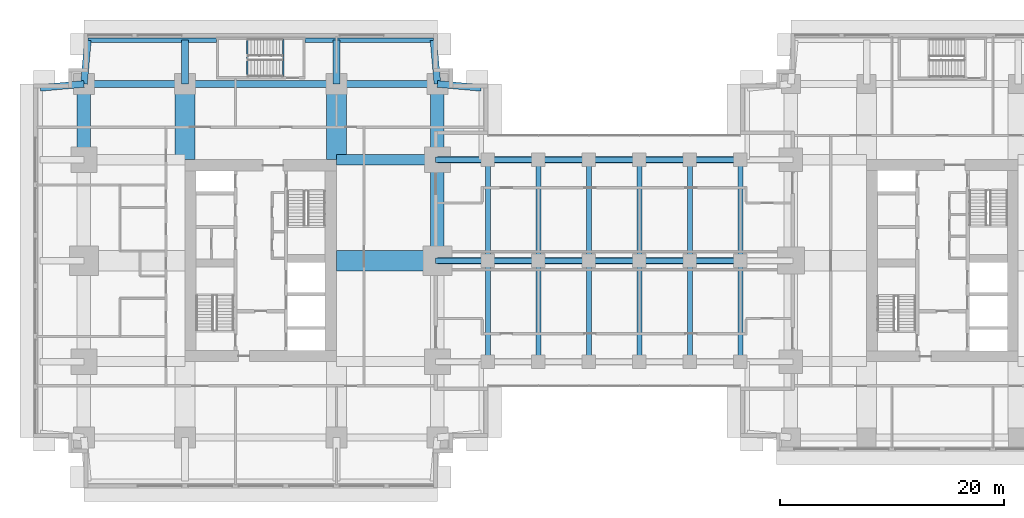
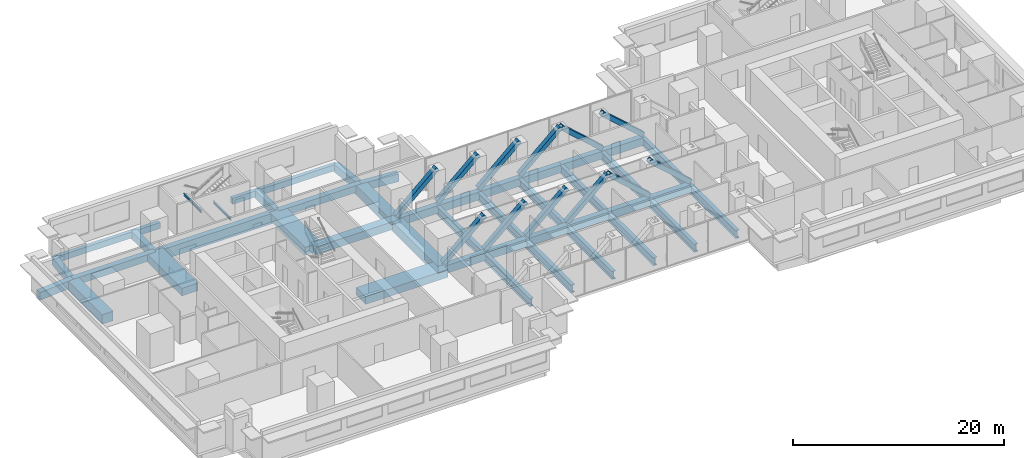
# One storey, part 3 of 16: 44 beams, 12 members.
"""IFC4 building model written with IfcOpenShell, lengths in metres."""

from ifc_helpers import new_model, si_unit, direction, frame, origin, origin_2d, place, context, subcontext, project, spatial, rectangle, hollow_rectangle, i_section, extrude, material, material_profile, profile_set, type_object, element, save


model = new_model("IFC4")

# Units and contexts
model_context = context("Model", 3, precision=1e-05, world=origin(), true_north=direction((0.0, 1.0)))
body_context = subcontext(model_context, "Body", "Model", "MODEL_VIEW")
ifc_project = project(units=[si_unit("LENGTHUNIT", "METRE"), si_unit("AREAUNIT", "SQUARE_METRE"), si_unit("VOLUMEUNIT", "CUBIC_METRE"), si_unit("PLANEANGLEUNIT", "RADIAN"), si_unit("MASSUNIT", "GRAM", prefix="KILO")], contexts=[model_context])

# Site, building, storey
site_placement = place(None, origin())
site = spatial("IfcSite", under=ifc_project, at=site_placement, CompositionType="ELEMENT")
building_placement = place(site_placement, origin())
building = spatial("IfcBuilding", under=site, at=building_placement, Name="Namib Vertical Campus", CompositionType="ELEMENT")
storey_placement = place(building_placement, frame((0.0, 0.0, 121.0)))
storey = spatial("IfcBuildingStorey", under=building, at=storey_placement, Name="L28", CompositionType="ELEMENT", Elevation=121.0)

# Members
ifc_material_1 = material(Name="Steel S355JR", Category="steel")
ifc_material_profile_1 = material_profile(ifc_material_1, hollow_rectangle(XDim=0.5, YDim=0.5, WallThickness=0.031982421875, at=origin_2d()))
ifc_profile_set_1 = profile_set([ifc_material_profile_1], Name="Steel S355JR")
member_type = type_object("IfcMemberType", Name="Bridge end brace WB 500x500x32", PredefinedType="BRACE", material=ifc_profile_set_1)
for number, where, z_axis, x_axis, name in (
    (1, (36.0, 20.25, 0.0), (0.747409318684, 0.0, 0.66436383883), (0.0, 1.0, 0.0), "Bridge brace BX1 L28 T2 bay 1"),
    (2, (40.5, 20.25, 0.0), (0.747409318684, 0.0, 0.66436383883), (0.0, 1.0, 0.0), "Bridge brace BX1 L28 T2 bay 2"),
    (3, (45.0, 20.25, 0.0), (0.747409318684, 0.0, 0.66436383883), (0.0, 1.0, 0.0), "Bridge brace BX1 L28 T2 bay 3"),
    (4, (49.5, 20.25, 0.0), (0.747409318684, 0.0, 0.66436383883), (0.0, 1.0, 0.0), "Bridge brace BX1 L28 T2 bay 4"),
    (5, (58.5, 20.25, 0.0), (-0.747409318684, 0.0, 0.66436383883), (0.0, -1.0, 0.0), "Bridge brace BX1 L28 T2 bay 5"),
    (6, (63.0, 20.25, 0.0), (-0.747409318684, 0.0, 0.66436383883), (0.0, -1.0, 0.0), "Bridge brace BX1 L28 T2 bay 6"),
    (7, (36.0, 29.25, 0.0), (0.747409318684, 0.0, 0.66436383883), (0.0, 1.0, 0.0), "Bridge brace BX1 L28 T3 bay 1"),
    (8, (40.5, 29.25, 0.0), (0.747409318684, 0.0, 0.66436383883), (0.0, 1.0, 0.0), "Bridge brace BX1 L28 T3 bay 2"),
    (9, (45.0, 29.25, 0.0), (0.747409318684, 0.0, 0.66436383883), (0.0, 1.0, 0.0), "Bridge brace BX1 L28 T3 bay 3"),
    (10, (49.5, 29.25, 0.0), (0.747409318684, 0.0, 0.66436383883), (0.0, 1.0, 0.0), "Bridge brace BX1 L28 T3 bay 4"),
    (11, (58.5, 29.25, 0.0), (-0.747409318684, 0.0, 0.66436383883), (0.0, -1.0, 0.0), "Bridge brace BX1 L28 T3 bay 5"),
    (12, (63.0, 29.25, 0.0), (-0.747409318684, 0.0, 0.66436383883), (0.0, -1.0, 0.0), "Bridge brace BX1 L28 T3 bay 6"),
):
    element("IfcMember", number, at=place(storey_placement, frame(where, z_axis=z_axis, x_axis=x_axis)), inside=storey, type_object=member_type, Name=name, PredefinedType="BRACE", context=body_context, shape_type="SweptSolid", body=[
        extrude(hollow_rectangle(XDim=0.5, YDim=0.5, WallThickness=0.031982421875, at=origin_2d()), origin(), (0.0, 0.0, 1.0), 6.020751953125),
    ])

# Beams
ifc_material_2 = material(Name="Steel S355JR", Category="steel")
ifc_material_profile_2 = material_profile(ifc_material_2, i_section(OverallWidth=0.42041015625, OverallDepth=0.92041015625, WebThickness=0.021484375, FlangeThickness=0.03662109375, FilletRadius=0.024169921875, at=origin_2d()))
ifc_profile_set_2 = profile_set([ifc_material_profile_2], Name="Steel S355JR")
beam_type_1 = type_object("IfcBeamType", Name="Bridge floor beam UB 914x419x388", PredefinedType="BEAM", material=ifc_profile_set_2)
for number, where, z_axis, x_axis, name in (
    (13, (40.5, 11.25, -0.710205078125), (0.0, 1.0, 0.0), (-1.0, 0.0, 0.0), "Bridge beam BB1 L28"),
    (14, (40.5, 20.25, -0.710205078125), (0.0, 1.0, 0.0), (-1.0, 0.0, 0.0), "Bridge beam BB1 L28"),
    (15, (45.0, 11.25, -0.710205078125), (0.0, 1.0, 0.0), (-1.0, 0.0, 0.0), "Bridge beam BB1 L28"),
    (16, (45.0, 20.25, -0.710205078125), (0.0, 1.0, 0.0), (-1.0, 0.0, 0.0), "Bridge beam BB1 L28"),
    (17, (49.5, 11.25, -0.710205078125), (0.0, 1.0, 0.0), (-1.0, 0.0, 0.0), "Bridge beam BB1 L28"),
    (18, (49.5, 20.25, -0.710205078125), (0.0, 1.0, 0.0), (-1.0, 0.0, 0.0), "Bridge beam BB1 L28"),
    (19, (54.0, 11.25, -0.710205078125), (0.0, 1.0, 0.0), (-1.0, 0.0, 0.0), "Bridge beam BB1 L28"),
    (20, (54.0, 20.25, -0.710205078125), (0.0, 1.0, 0.0), (-1.0, 0.0, 0.0), "Bridge beam BB1 L28"),
    (21, (58.5, 11.25, -0.710205078125), (0.0, 1.0, 0.0), (-1.0, 0.0, 0.0), "Bridge beam BB1 L28"),
    (22, (58.5, 20.25, -0.710205078125), (0.0, 1.0, 0.0), (-1.0, 0.0, 0.0), "Bridge beam BB1 L28"),
    (23, (63.0, 11.25, -0.710205078125), (0.0, 1.0, 0.0), (-1.0, 0.0, 0.0), "Bridge beam BB1 L28"),
    (24, (63.0, 20.25, -0.710205078125), (0.0, 1.0, 0.0), (-1.0, 0.0, 0.0), "Bridge beam BB1 L28"),
):
    element("IfcBeam", number, at=place(storey_placement, frame(where, z_axis=z_axis, x_axis=x_axis)), inside=storey, type_object=beam_type_1, Name=name, PredefinedType="BEAM", context=body_context, shape_type="SweptSolid", body=[
        extrude(i_section(OverallWidth=0.42041015625, OverallDepth=0.92041015625, WebThickness=0.021484375, FlangeThickness=0.03662109375, FilletRadius=0.024169921875, at=origin_2d()), origin(), (0.0, 0.0, 1.0), 9.0),
    ])
ifc_material_3 = material(Name="Steel S355JR", Category="steel")
ifc_material_profile_3 = material_profile(ifc_material_3, hollow_rectangle(XDim=0.60009765625, YDim=0.89990234375, WallThickness=0.050048828125, at=origin_2d()))
ifc_profile_set_3 = profile_set([ifc_material_profile_3], Name="Steel S355JR")
beam_type_2 = type_object("IfcBeamType", Name="Bridge girder WB 900x600x50", PredefinedType="BEAM", material=ifc_profile_set_3)
for number, where, z_axis, x_axis, name in (
    (25, (36.0, 20.25, -0.699951171875), (1.0, 0.0, 0.0), (0.0, 1.0, 0.0), "Bridge girder BG1 L28"),
    (26, (40.5, 20.25, -0.699951171875), (1.0, 0.0, 0.0), (0.0, 1.0, 0.0), "Bridge girder BG1 L28"),
    (27, (45.0, 20.25, -0.699951171875), (1.0, 0.0, 0.0), (0.0, 1.0, 0.0), "Bridge girder BG1 L28"),
    (28, (49.5, 20.25, -0.699951171875), (1.0, 0.0, 0.0), (0.0, 1.0, 0.0), "Bridge girder BG1 L28"),
    (29, (54.0, 20.25, -0.699951171875), (1.0, 0.0, 0.0), (0.0, 1.0, 0.0), "Bridge girder BG1 L28"),
    (30, (58.5, 20.25, -0.699951171875), (1.0, 0.0, 0.0), (0.0, 1.0, 0.0), "Bridge girder BG1 L28"),
    (31, (36.0, 29.25, -0.699951171875), (1.0, 0.0, 0.0), (0.0, 1.0, 0.0), "Bridge girder BG1 L28"),
    (32, (40.5, 29.25, -0.699951171875), (1.0, 0.0, 0.0), (0.0, 1.0, 0.0), "Bridge girder BG1 L28"),
    (33, (45.0, 29.25, -0.699951171875), (1.0, 0.0, 0.0), (0.0, 1.0, 0.0), "Bridge girder BG1 L28"),
    (34, (49.5, 29.25, -0.699951171875), (1.0, 0.0, 0.0), (0.0, 1.0, 0.0), "Bridge girder BG1 L28"),
    (35, (54.0, 29.25, -0.699951171875), (1.0, 0.0, 0.0), (0.0, 1.0, 0.0), "Bridge girder BG1 L28"),
    (36, (58.5, 29.25, -0.699951171875), (1.0, 0.0, 0.0), (0.0, 1.0, 0.0), "Bridge girder BG1 L28"),
):
    element("IfcBeam", number, at=place(storey_placement, frame(where, z_axis=z_axis, x_axis=x_axis)), inside=storey, type_object=beam_type_2, Name=name, PredefinedType="BEAM", context=body_context, shape_type="SweptSolid", body=[
        extrude(hollow_rectangle(XDim=0.60009765625, YDim=0.89990234375, WallThickness=0.050048828125, at=origin_2d()), origin(), (0.0, 0.0, 1.0), 4.5),
    ])
ifc_material_4 = material(Name="Concrete C40/50", Category="concrete")
ifc_material_profile_4 = material_profile(ifc_material_4, rectangle(XDim=0.60009765625, YDim=0.89990234375, at=origin_2d()))
ifc_profile_set_4 = profile_set([ifc_material_profile_4], Name="Concrete C40/50")
beam_type_3 = type_object("IfcBeamType", Name="Cantilever girder RC 600x900", PredefinedType="BEAM", material=ifc_profile_set_4)
beam_1_placement = place(storey_placement, frame((4.5, 36.0, -0.699951171875), z_axis=(0.089411326146, 0.995994786511, 0.0), x_axis=(-0.995994786511, 0.089411326146, 0.0)))
element("IfcBeam", 37, at=beam_1_placement, inside=storey, type_object=beam_type_3, Name="Beam B3 L28", PredefinedType="BEAM", context=body_context, shape_type="SweptSolid", body=[
    extrude(rectangle(XDim=0.60009765625, YDim=0.89990234375, at=origin_2d()), origin(), (0.0, 0.0, 1.0), 3.91552734375),
])
for number, where, z_axis, x_axis, name in (
    (38, (13.5, 36.0, -0.699951171875), (0.0, 1.0, 0.0), (-1.0, 0.0, 0.0), "Beam B3 L28"),
    (39, (27.0, 36.0, -0.699951171875), (0.0, 1.0, 0.0), (-1.0, 0.0, 0.0), "Beam B3 L28"),
):
    element("IfcBeam", number, at=place(storey_placement, frame(where, z_axis=z_axis, x_axis=x_axis)), inside=storey, type_object=beam_type_3, Name=name, PredefinedType="BEAM", context=body_context, shape_type="SweptSolid", body=[
        extrude(rectangle(XDim=0.60009765625, YDim=0.89990234375, at=origin_2d()), origin(), (0.0, 0.0, 1.0), 3.89990234375),
    ])
for number, where, z_axis, x_axis, name in (
    (40, (36.0, 36.0, -0.699951171875), (-0.089411326146, 0.995994786511, 0.0), (-0.995994786511, -0.089411326146, 0.0), "Beam B3 L28"),
    (41, (4.5, 36.0, -0.699951171875), (-0.995994786511, -0.089411326146, 0.0), (0.089411326146, -0.995994786511, 0.0), "Beam B3 L28"),
    (42, (36.0, 36.0, -0.699951171875), (0.995994786511, -0.089411326146, 0.0), (0.089411326146, 0.995994786511, 0.0), "Beam B3 L28"),
):
    element("IfcBeam", number, at=place(storey_placement, frame(where, z_axis=z_axis, x_axis=x_axis)), inside=storey, type_object=beam_type_3, Name=name, PredefinedType="BEAM", context=body_context, shape_type="SweptSolid", body=[
        extrude(rectangle(XDim=0.60009765625, YDim=0.89990234375, at=origin_2d()), origin(), (0.0, 0.0, 1.0), 3.91552734375),
    ])
ifc_material_5 = material(Name="Concrete C40/50", Category="concrete")
ifc_material_profile_5 = material_profile(ifc_material_5, rectangle(XDim=0.39990234375, YDim=0.699951171875, at=origin_2d()))
ifc_profile_set_5 = profile_set([ifc_material_profile_5], Name="Concrete C40/50")
beam_type_4 = type_object("IfcBeamType", Name="Edge beam RC 400x700", PredefinedType="SPANDREL", material=ifc_profile_set_5)
for number, where, z_axis, x_axis, name in (
    (43, (4.85009765625, 39.89990234375, -0.60009765625), (1.0, 0.0, 0.0), (0.0, 1.0, 0.0), "Beam B4 L28"),
    (44, (24.199951171875, 39.89990234375, -0.60009765625), (1.0, 0.0, 0.0), (0.0, 1.0, 0.0), "Beam B4 L28"),
):
    element("IfcBeam", number, at=place(storey_placement, frame(where, z_axis=z_axis, x_axis=x_axis)), inside=storey, type_object=beam_type_4, Name=name, PredefinedType="SPANDREL", context=body_context, shape_type="SweptSolid", body=[
        extrude(rectangle(XDim=0.39990234375, YDim=0.699951171875, at=origin_2d()), origin(), (0.0, 0.0, 1.0), 11.449951171875),
    ])
ifc_material_6 = material(Name="Concrete C40/50", Category="concrete")
ifc_material_profile_6 = material_profile(ifc_material_6, rectangle(XDim=0.89990234375, YDim=0.89990234375, at=origin_2d()))
ifc_profile_set_6 = profile_set([ifc_material_profile_6], Name="Concrete C40/50")
beam_type_5 = type_object("IfcBeamType", Name="Face girder RC 900x900", PredefinedType="BEAM", material=ifc_profile_set_6)
beam_2_placement = place(storey_placement, frame((36.0, 29.25, -0.699951171875), z_axis=(-1.0, 0.0, 0.0), x_axis=(0.0, -1.0, 0.0)))
element("IfcBeam", 45, at=beam_2_placement, inside=storey, type_object=beam_type_5, Name="Beam B10 L28", PredefinedType="BEAM", context=body_context, shape_type="SweptSolid", body=[
    extrude(rectangle(XDim=0.89990234375, YDim=0.89990234375, at=origin_2d()), origin(), (0.0, 0.0, 1.0), 9.0),
])
ifc_material_7 = material(Name="Concrete C40/50", Category="concrete")
ifc_material_profile_7 = material_profile(ifc_material_7, rectangle(XDim=1.199951171875, YDim=1.10009765625, at=origin_2d()))
ifc_profile_set_7 = profile_set([ifc_material_profile_7], Name="Concrete C40/50")
beam_type_6 = type_object("IfcBeamType", Name="Face ring beam RC 1200x1100", PredefinedType="BEAM", material=ifc_profile_set_7)
beam_3_placement = place(storey_placement, frame((4.5, 29.25, -0.800048828125), z_axis=(0.0, 1.0, 0.0), x_axis=(-1.0, 0.0, 0.0)))
element("IfcBeam", 46, at=beam_3_placement, inside=storey, type_object=beam_type_6, Name="Beam B11 L28", PredefinedType="BEAM", context=body_context, shape_type="SweptSolid", body=[
    extrude(rectangle(XDim=1.199951171875, YDim=1.10009765625, at=origin_2d()), origin(), (0.0, 0.0, 1.0), 6.75),
])
beam_4_placement = place(storey_placement, frame((36.0, 20.25, -0.800048828125), z_axis=(0.0, 1.0, 0.0), x_axis=(-1.0, 0.0, 0.0)))
element("IfcBeam", 47, at=beam_4_placement, inside=storey, type_object=beam_type_6, Name="Beam B11 L28", PredefinedType="BEAM", context=body_context, shape_type="SweptSolid", body=[
    extrude(rectangle(XDim=1.199951171875, YDim=1.10009765625, at=origin_2d()), origin(), (0.0, 0.0, 1.0), 9.0),
])
beam_5_placement = place(storey_placement, frame((36.0, 29.25, -0.800048828125), z_axis=(0.0, 1.0, 0.0), x_axis=(-1.0, 0.0, 0.0)))
element("IfcBeam", 48, at=beam_5_placement, inside=storey, type_object=beam_type_6, Name="Beam B11 L28", PredefinedType="BEAM", context=body_context, shape_type="SweptSolid", body=[
    extrude(rectangle(XDim=1.199951171875, YDim=1.10009765625, at=origin_2d()), origin(), (0.0, 0.0, 1.0), 6.75),
])
ifc_material_8 = material(Name="Steel S355JR", Category="steel")
ifc_material_profile_8 = material_profile(ifc_material_8, i_section(OverallWidth=0.14599609375, OverallDepth=0.25146484375, WebThickness=0.006103515625, FlangeThickness=0.008544921875, FilletRadius=0.007568359375, at=origin_2d()))
ifc_profile_set_8 = profile_set([ifc_material_profile_8], Name="Steel S355JR")
beam_type_7 = type_object("IfcBeamType", Name="Landing trimmer UB 254x146x31", PredefinedType="BEAM", material=ifc_profile_set_8)
for number, where, z_axis, x_axis, name in (
    (49, (22.27294921875, 36.64990234375, -0.125732421875), (0.0, 1.0, 0.0), (-1.0, 0.0, 0.0), "Landing trimmer LT1 A-S3 L28 1"),
    (50, (19.046875, 36.64990234375, 1.874267578125), (0.0, 1.0, 0.0), (-1.0, 0.0, 0.0), "Landing trimmer LT1 A-S3 L28 2"),
):
    element("IfcBeam", number, at=place(storey_placement, frame(where, z_axis=z_axis, x_axis=x_axis)), inside=storey, type_object=beam_type_7, Name=name, PredefinedType="BEAM", context=body_context, shape_type="SweptSolid", body=[
        extrude(i_section(OverallWidth=0.14599609375, OverallDepth=0.25146484375, WebThickness=0.006103515625, FlangeThickness=0.008544921875, FilletRadius=0.007568359375, at=origin_2d()), origin(), (0.0, 0.0, 1.0), 3.35009765625),
    ])
ifc_material_9 = material(Name="Concrete C40/50", Category="concrete")
ifc_material_profile_9 = material_profile(ifc_material_9, rectangle(XDim=0.60009765625, YDim=1.199951171875, at=origin_2d()))
ifc_profile_set_9 = profile_set([ifc_material_profile_9], Name="Concrete C40/50")
beam_type_8 = type_object("IfcBeamType", Name="Long-span ring beam RC 600x1200", PredefinedType="BEAM", material=ifc_profile_set_9)
beam_6_placement = place(storey_placement, frame((13.5, 36.0, -0.85009765625), z_axis=(1.0, 0.0, 0.0), x_axis=(0.0, 1.0, 0.0)))
element("IfcBeam", 51, at=beam_6_placement, inside=storey, type_object=beam_type_8, Name="Beam B9 L28", PredefinedType="BEAM", context=body_context, shape_type="SweptSolid", body=[
    extrude(rectangle(XDim=0.60009765625, YDim=1.199951171875, at=origin_2d()), origin(), (0.0, 0.0, 1.0), 13.5),
])
ifc_material_10 = material(Name="Concrete C40/50", Category="concrete")
ifc_material_profile_10 = material_profile(ifc_material_10, rectangle(XDim=1.800048828125, YDim=0.89990234375, at=origin_2d()))
ifc_profile_set_10 = profile_set([ifc_material_profile_10], Name="Concrete C40/50")
beam_type_9 = type_object("IfcBeamType", Name="Outrigger line girder RC 1800x900", PredefinedType="BEAM", material=ifc_profile_set_10)
for number, where, z_axis, x_axis, name in (
    (52, (13.5, 36.0, -0.699951171875), (0.0, -1.0, 0.0), (1.0, 0.0, 0.0), "Beam B12 L28"),
    (53, (27.0, 36.0, -0.699951171875), (0.0, -1.0, 0.0), (1.0, 0.0, 0.0), "Beam B12 L28"),
):
    element("IfcBeam", number, at=place(storey_placement, frame(where, z_axis=z_axis, x_axis=x_axis)), inside=storey, type_object=beam_type_9, Name=name, PredefinedType="BEAM", context=body_context, shape_type="SweptSolid", body=[
        extrude(rectangle(XDim=1.800048828125, YDim=0.89990234375, at=origin_2d()), origin(), (0.0, 0.0, 1.0), 6.75),
    ])
beam_7_placement = place(storey_placement, frame((36.0, 20.25, -0.699951171875), z_axis=(-1.0, 0.0, 0.0), x_axis=(0.0, -1.0, 0.0)))
element("IfcBeam", 54, at=beam_7_placement, inside=storey, type_object=beam_type_9, Name="Beam B12 L28", PredefinedType="BEAM", context=body_context, shape_type="SweptSolid", body=[
    extrude(rectangle(XDim=1.800048828125, YDim=0.89990234375, at=origin_2d()), origin(), (0.0, 0.0, 1.0), 9.0),
])
ifc_material_11 = material(Name="Concrete C40/50", Category="concrete")
ifc_material_profile_11 = material_profile(ifc_material_11, rectangle(XDim=0.60009765625, YDim=0.800048828125, at=origin_2d()))
ifc_profile_set_11 = profile_set([ifc_material_profile_11], Name="Concrete C40/50")
beam_type_10 = type_object("IfcBeamType", Name="Ring beam RC 600x800", PredefinedType="BEAM", material=ifc_profile_set_11)
for number, where, z_axis, x_axis, name in (
    (55, (4.5, 36.0, -0.64990234375), (1.0, 0.0, 0.0), (0.0, 1.0, 0.0), "Beam B1 L28"),
    (56, (27.0, 36.0, -0.64990234375), (1.0, 0.0, 0.0), (0.0, 1.0, 0.0), "Beam B1 L28"),
):
    element("IfcBeam", number, at=place(storey_placement, frame(where, z_axis=z_axis, x_axis=x_axis)), inside=storey, type_object=beam_type_10, Name=name, PredefinedType="BEAM", context=body_context, shape_type="SweptSolid", body=[
        extrude(rectangle(XDim=0.60009765625, YDim=0.800048828125, at=origin_2d()), origin(), (0.0, 0.0, 1.0), 9.0),
    ])

save(model, "model.ifc")
